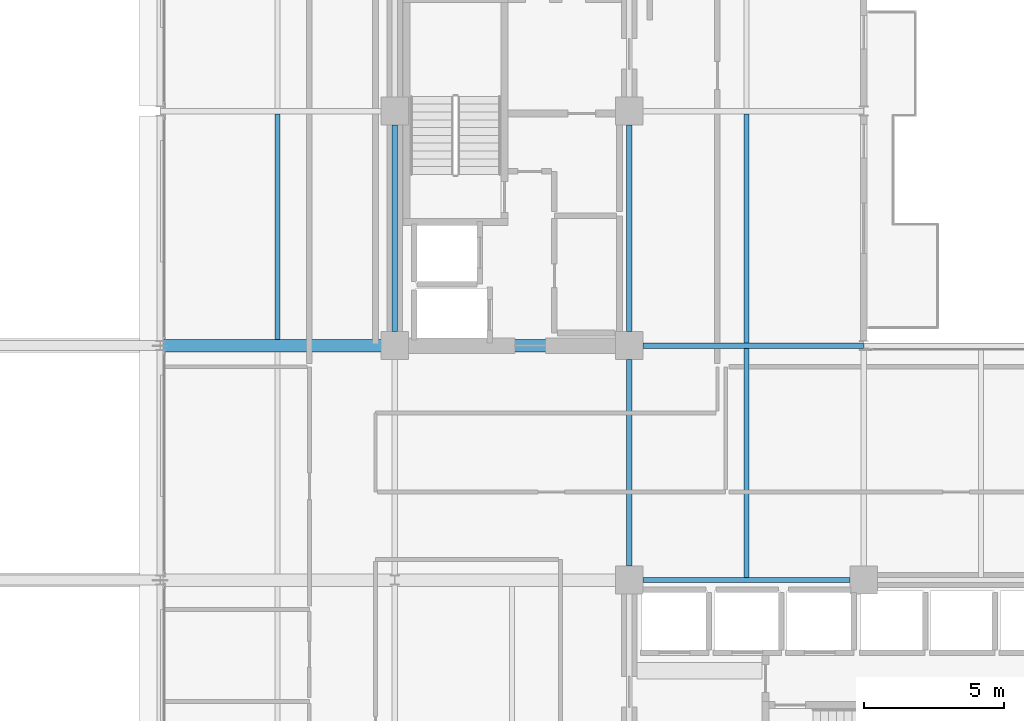
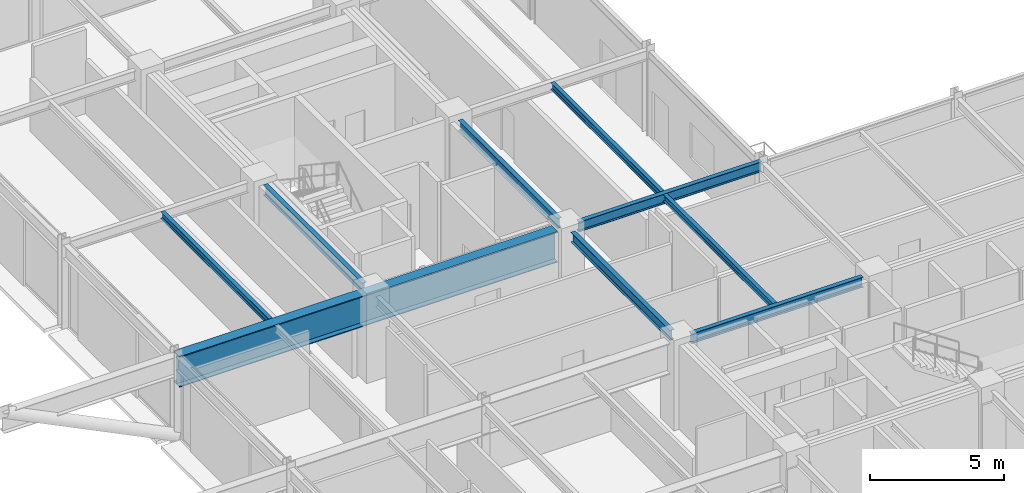
# One storey, part 11 of 30: 9 beams.
"""IFC4 building model written with IfcOpenShell, lengths in metres."""

from ifc_helpers import new_model, si_unit, direction, frame, origin, origin_2d, place, context, subcontext, project, spatial, i_section, extrude, material, material_profile, profile_set, type_object, element, save


model = new_model("IFC4")

# Units and contexts
model_context = context("Model", 3, precision=1e-05, world=origin(), true_north=direction((0.0, 1.0)))
body_context = subcontext(model_context, "Body", "Model", "MODEL_VIEW")
ifc_project = project(units=[si_unit("LENGTHUNIT", "METRE"), si_unit("AREAUNIT", "SQUARE_METRE"), si_unit("VOLUMEUNIT", "CUBIC_METRE"), si_unit("PLANEANGLEUNIT", "RADIAN"), si_unit("MASSUNIT", "GRAM", prefix="KILO")], contexts=[model_context])

# Site, building, storey
site_placement = place(None, origin())
site = spatial("IfcSite", under=ifc_project, at=site_placement, CompositionType="ELEMENT")
building_placement = place(site_placement, origin())
building = spatial("IfcBuilding", under=site, at=building_placement, Name="Nerrivon Quay Data Exchange", CompositionType="ELEMENT")
storey_placement = place(building_placement, frame((0.0, 0.0, 167.300048828125)))
storey = spatial("IfcBuildingStorey", under=building, at=storey_placement, Name="L39", CompositionType="ELEMENT", Elevation=167.300048828125)

# Beams
ifc_material = material(Name="Steel Grade 350", Category="steel")
ifc_material_profile_1 = material_profile(ifc_material, i_section(OverallWidth=0.19091796875, OverallDepth=0.4599609375, WebThickness=0.010009765625, FlangeThickness=0.01611328125, FilletRadius=0.011474609375, at=origin_2d()), Name="460UB82.1")
ifc_profile_set_1 = profile_set([ifc_material_profile_1], Name="Steel Grade 350")
beam_type_1 = type_object("IfcBeamType", Name="BM-G5-460UB82", PredefinedType="BEAM", material=ifc_profile_set_1)
beam_1_placement = place(storey_placement, frame((17.300048828125, 16.800048828125, 3.594970703125), z_axis=(1.0, 0.0, 0.0), x_axis=(0.0, 1.0, 0.0)))
element("IfcBeam", 1, at=beam_1_placement, inside=storey, type_object=beam_type_1, Name="L39 EW Girder Y=16.8 (16.8..25.2)", PredefinedType="BEAM", context=body_context, shape_type="SweptSolid", body=[
    extrude(i_section(OverallWidth=0.19091796875, OverallDepth=0.4599609375, WebThickness=0.010009765625, FlangeThickness=0.01611328125, FilletRadius=0.011474609375, at=origin_2d()), origin(), (0.0, 0.0, 1.0), 7.39990234375),
])
beam_2_placement = place(storey_placement, frame((17.300048828125, 25.199951171875, 3.594970703125), z_axis=(1.0, 0.0, 0.0), x_axis=(0.0, 1.0, 0.0)))
element("IfcBeam", 2, at=beam_2_placement, inside=storey, type_object=beam_type_1, Name="L39 EW Girder Y=25.2 (16.8..25.2)", PredefinedType="BEAM", context=body_context, shape_type="SweptSolid", body=[
    extrude(i_section(OverallWidth=0.19091796875, OverallDepth=0.4599609375, WebThickness=0.010009765625, FlangeThickness=0.01611328125, FilletRadius=0.011474609375, at=origin_2d()), origin(), (0.0, 0.0, 1.0), 7.889892578125),
])
ifc_material_profile_2 = material_profile(ifc_material, i_section(OverallWidth=0.18994140625, OverallDepth=0.4541015625, WebThickness=0.008544921875, FlangeThickness=0.0126953125, FilletRadius=0.011474609375, at=origin_2d()), Name="460UB67.1")
ifc_profile_set_2 = profile_set([ifc_material_profile_2], Name="Steel Grade 350")
beam_type_2 = type_object("IfcBeamType", Name="BM-G6-460UB67", PredefinedType="BEAM", material=ifc_profile_set_2)
beam_3_placement = place(storey_placement, frame((8.39990234375, 25.699951171875, 3.597900390625), z_axis=(0.0, 1.0, 0.0), x_axis=(-1.0, 0.0, 0.0)))
element("IfcBeam", 3, at=beam_3_placement, inside=storey, type_object=beam_type_2, Name="L39 NS Girder X=8.4 (25.2..33.6)", PredefinedType="BEAM", context=body_context, shape_type="SweptSolid", body=[
    extrude(i_section(OverallWidth=0.18994140625, OverallDepth=0.4541015625, WebThickness=0.008544921875, FlangeThickness=0.0126953125, FilletRadius=0.011474609375, at=origin_2d()), origin(), (0.0, 0.0, 1.0), 7.400146484375),
])
beam_4_placement = place(storey_placement, frame((16.800048828125, 17.300048828125, 3.597900390625), z_axis=(0.0, 1.0, 0.0), x_axis=(-1.0, 0.0, 0.0)))
element("IfcBeam", 4, at=beam_4_placement, inside=storey, type_object=beam_type_2, Name="L39 NS Girder X=16.8 (16.8..25.2)", PredefinedType="BEAM", context=body_context, shape_type="SweptSolid", body=[
    extrude(i_section(OverallWidth=0.18994140625, OverallDepth=0.4541015625, WebThickness=0.008544921875, FlangeThickness=0.0126953125, FilletRadius=0.011474609375, at=origin_2d()), origin(), (0.0, 0.0, 1.0), 7.39990234375),
])
beam_5_placement = place(storey_placement, frame((16.800048828125, 25.699951171875, 3.597900390625), z_axis=(0.0, 1.0, 0.0), x_axis=(-1.0, 0.0, 0.0)))
element("IfcBeam", 5, at=beam_5_placement, inside=storey, type_object=beam_type_2, Name="L39 NS Girder X=16.8 (25.2..33.6)", PredefinedType="BEAM", context=body_context, shape_type="SweptSolid", body=[
    extrude(i_section(OverallWidth=0.18994140625, OverallDepth=0.4541015625, WebThickness=0.008544921875, FlangeThickness=0.0126953125, FilletRadius=0.011474609375, at=origin_2d()), origin(), (0.0, 0.0, 1.0), 7.400146484375),
])
ifc_material_profile_3 = material_profile(ifc_material, i_section(OverallWidth=0.166015625, OverallDepth=0.306884765625, WebThickness=0.006591796875, FlangeThickness=0.01171875, FilletRadius=0.011474609375, at=origin_2d()), Name="310UB46.2")
ifc_profile_set_3 = profile_set([ifc_material_profile_3], Name="Steel Grade 350")
beam_type_3 = type_object("IfcBeamType", Name="BM-J5-310UB46", PredefinedType="JOIST", material=ifc_profile_set_3)
beam_6_placement = place(storey_placement, frame((4.199951171875, 25.425048828125, 3.67138671875), z_axis=(0.0, 1.0, 0.0), x_axis=(-1.0, 0.0, 0.0)))
element("IfcBeam", 6, at=beam_6_placement, inside=storey, type_object=beam_type_3, Name="L39 Secondary Joist X=4.2 (25.2..33.6)", PredefinedType="JOIST", context=body_context, shape_type="SweptSolid", body=[
    extrude(i_section(OverallWidth=0.166015625, OverallDepth=0.306884765625, WebThickness=0.006591796875, FlangeThickness=0.01171875, FilletRadius=0.011474609375, at=origin_2d()), origin(), (0.0, 0.0, 1.0), 8.079345703125),
])
for number, where, z_axis, x_axis, name in (
    (7, (21.0, 16.8955078125, 3.67138671875), (0.0, 1.0, 0.0), (-1.0, 0.0, 0.0), "L39 Secondary Joist X=21.0 (16.8..25.2)"),
    (8, (21.0, 25.29541015625, 3.67138671875), (0.0, 1.0, 0.0), (-1.0, 0.0, 0.0), "L39 Secondary Joist X=21.0 (25.2..33.6)"),
):
    element("IfcBeam", number, at=place(storey_placement, frame(where, z_axis=z_axis, x_axis=x_axis)), inside=storey, type_object=beam_type_3, Name=name, PredefinedType="JOIST", context=body_context, shape_type="SweptSolid", body=[
        extrude(i_section(OverallWidth=0.166015625, OverallDepth=0.306884765625, WebThickness=0.006591796875, FlangeThickness=0.01171875, FilletRadius=0.011474609375, at=origin_2d()), origin(), (0.0, 0.0, 1.0), 8.208984375),
    ])
ifc_material_profile_4 = material_profile(ifc_material, i_section(OverallWidth=0.449951171875, OverallDepth=1.39990234375, WebThickness=0.02001953125, FlangeThickness=0.0400390625, at=origin_2d()), Name="1400WG455")
ifc_profile_set_4 = profile_set([ifc_material_profile_4], Name="Steel Grade 350")
beam_type_4 = type_object("IfcBeamType", Name="BM-TG1-1400WG", PredefinedType="USERDEFINED", material=ifc_profile_set_4)
beam_7_placement = place(storey_placement, frame((0.010009765625, 25.199951171875, 3.125), z_axis=(1.0, 0.0, 0.0), x_axis=(0.0, 1.0, 0.0)))
element("IfcBeam", 9, at=beam_7_placement, inside=storey, type_object=beam_type_4, Name="L39 EW Girder Y=25.2 (0.0..8.4)", ObjectType="TRANSFER", PredefinedType="USERDEFINED", context=body_context, shape_type="SweptSolid", body=[
    extrude(i_section(OverallWidth=0.449951171875, OverallDepth=1.39990234375, WebThickness=0.02001953125, FlangeThickness=0.0400390625, at=origin_2d()), origin(), (0.0, 0.0, 1.0), 16.2900390625),
])

save(model, "model.ifc")
